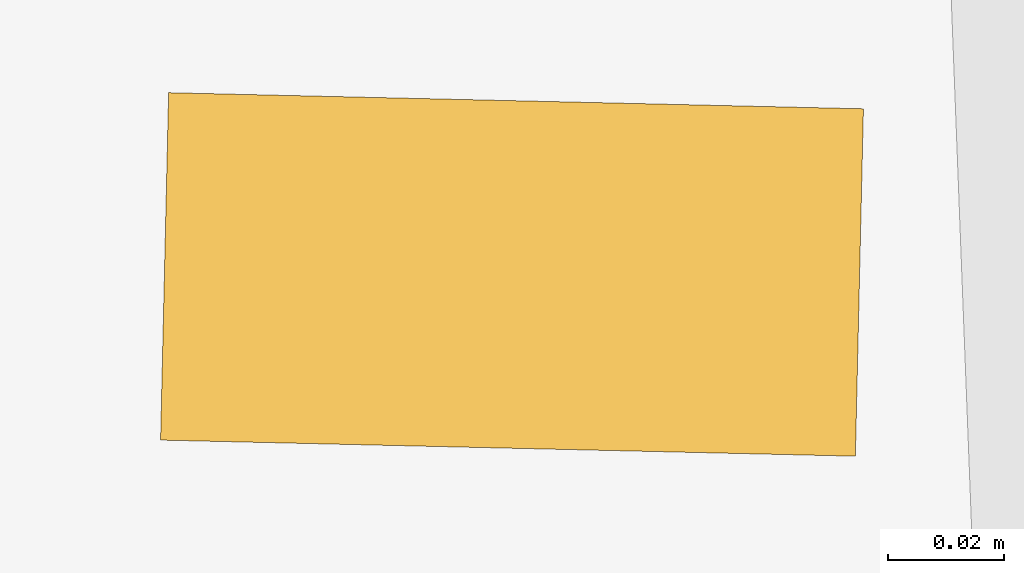
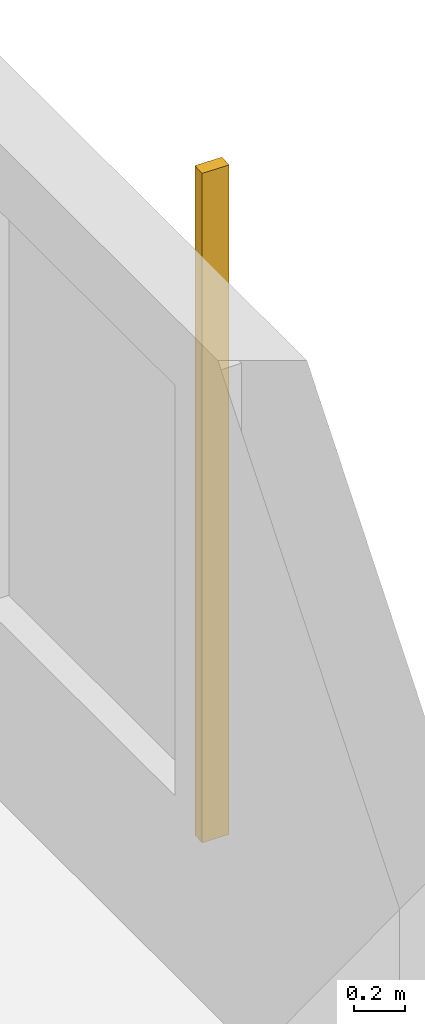
# One storey, part 20 of 22: 1 shading device.
"""IFC4 building model written with IfcOpenShell, lengths in metres."""

from ifc_helpers import new_model, si_unit, direction, frame, origin, origin_2d, place, context, subcontext, project, spatial, rectangle, extrude, source, transform, mapped, material, material_profile, profile_set, type_object, element, save


model = new_model("IFC4")

# Units and contexts
model_context = context("Model", 3, precision=1e-05, world=origin(), true_north=direction((0.0, 1.0)))
body_context = subcontext(model_context, "Body", "Model", "MODEL_VIEW")
ifc_project = project(units=[si_unit("LENGTHUNIT", "METRE"), si_unit("AREAUNIT", "SQUARE_METRE"), si_unit("VOLUMEUNIT", "CUBIC_METRE"), si_unit("PLANEANGLEUNIT", "RADIAN"), si_unit("MASSUNIT", "GRAM", prefix="KILO")], contexts=[model_context])

# Site, building, storey
site_placement = place(None, origin())
site = spatial("IfcSite", under=ifc_project, at=site_placement, CompositionType="ELEMENT")
building_placement = place(site_placement, origin())
building = spatial("IfcBuilding", under=site, at=building_placement, Name="Kilnfold Tower and Market Hall", CompositionType="ELEMENT")
storey_placement = place(building_placement, frame((0.0, 0.0, 188.89990234375)))
storey = spatial("IfcBuildingStorey", under=building, at=storey_placement, Name="L45", CompositionType="ELEMENT", Elevation=188.89990234375)

# Shading device
ifc_material = material(Name="Terracotta", Category="masonry")
ifc_material_profile = material_profile(ifc_material, rectangle(XDim=0.06005859375, YDim=0.1201171875, at=origin_2d()), Name="BAG 60x120")
ifc_profile_set = profile_set([ifc_material_profile], Name="Terracotta")
shading_device_type = type_object("IfcShadingDeviceType", Name="BAGUETTE", PredefinedType="USERDEFINED", material=ifc_profile_set)
shared_shape = source(origin(), body_context, "Body", "SweptSolid", [
    extrude(rectangle(XDim=0.06005859375, YDim=0.1201171875, at=origin_2d()), origin(), (0.0, 0.0, 1.0), 3.18017578125),
])
shading_device_placement = place(storey_placement, frame((25.550048828125, 2.33740234375, 0.0), z_axis=(0.0, 0.0, 1.0), x_axis=(0.023154958919, 0.999731887997, 0.0)))
element("IfcShadingDevice", 1, at=shading_device_placement, inside=storey, type_object=shading_device_type, Name="Terracotta baguette L45 E", ObjectType="BAGUETTE", PredefinedType="USERDEFINED", context=body_context, shape_type="MappedRepresentation", body=[
    mapped(shared_shape, transform((0.0, 0.0, 0.0))),
])

save(model, "model.ifc")
